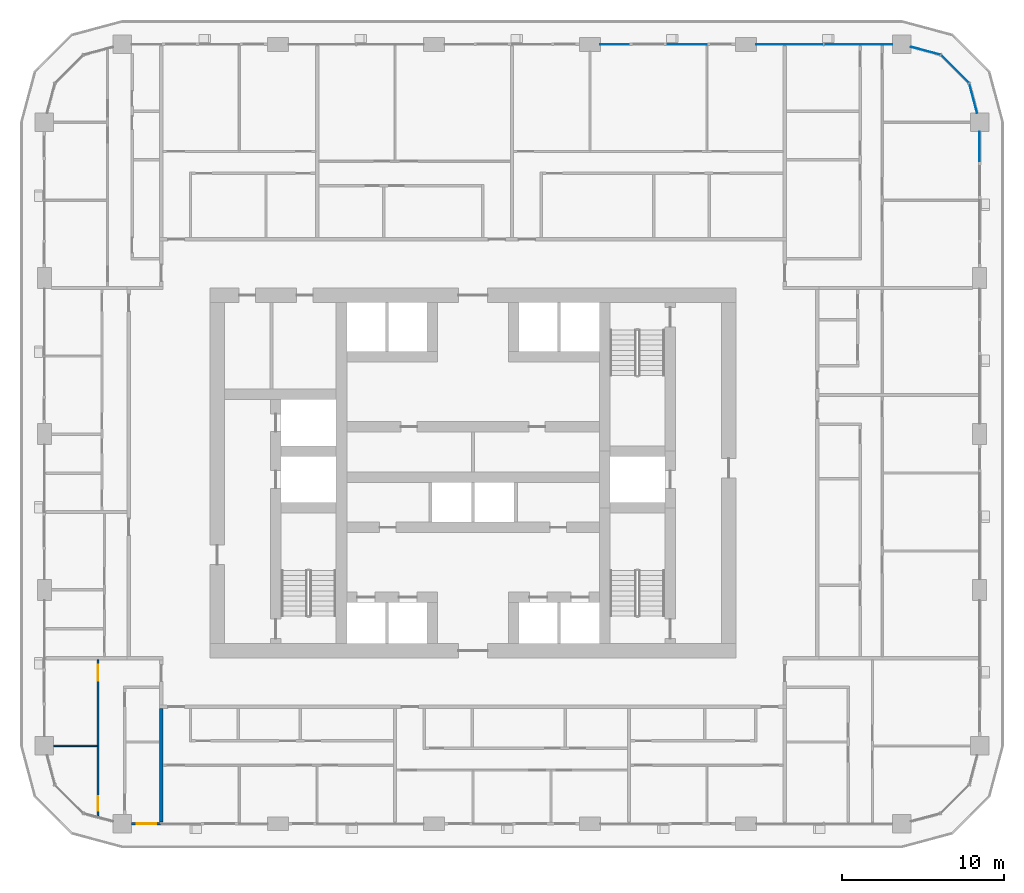
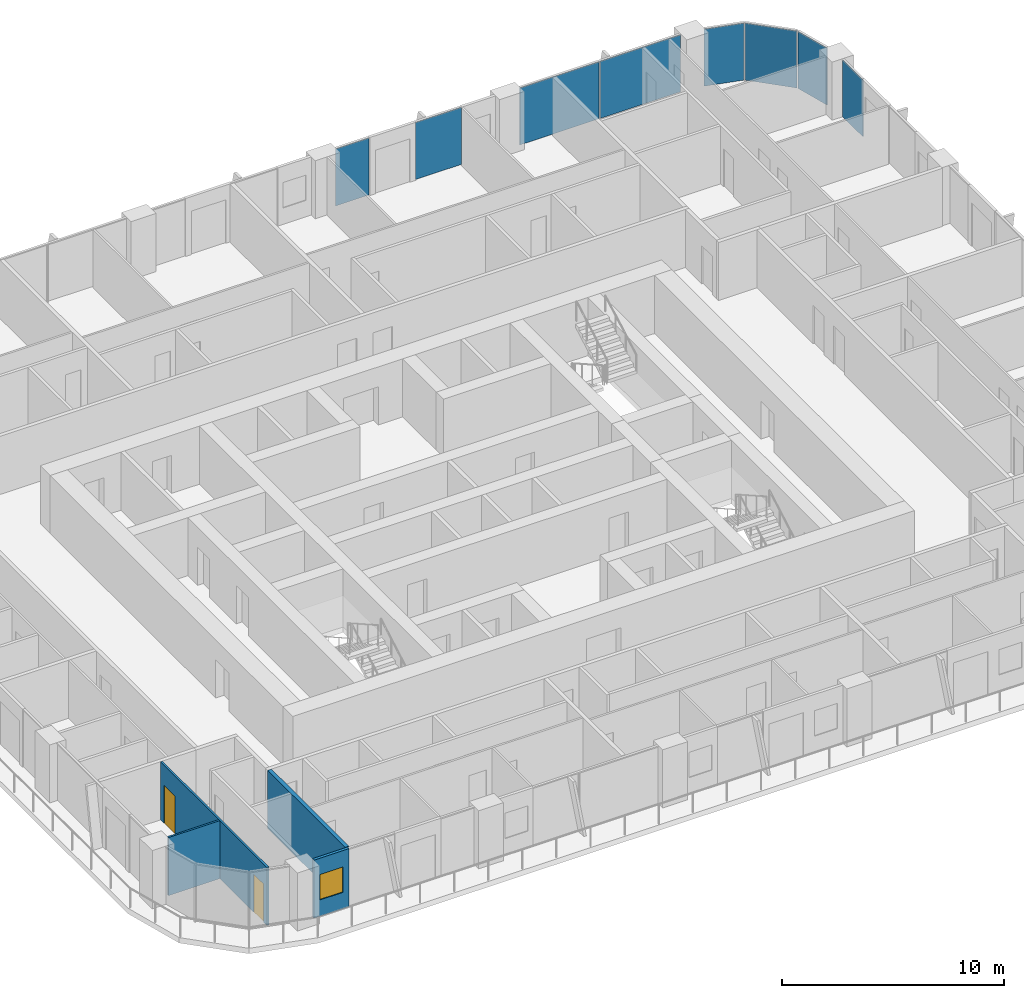
# One storey, part 8 of 21: 8 plates, 4 walls, 2 doors, 1 window, 3 openings, 4 elements without a shape of their own.
"""IFC4 building model written with IfcOpenShell, lengths in metres."""

from ifc_helpers import new_model, si_unit, direction, frame, frame_2d, origin, origin_2d, place, context, subcontext, project, spatial, rectangle, extrude, material, layer, layer_set, type_object, element, fill, aggregate, save


model = new_model("IFC4")

# Units and contexts
model_context = context("Model", 3, precision=1e-05, world=origin(), true_north=direction((0.0, 1.0)))
body_context = subcontext(model_context, "Body", "Model", "MODEL_VIEW")
ifc_project = project(units=[si_unit("LENGTHUNIT", "METRE"), si_unit("AREAUNIT", "SQUARE_METRE"), si_unit("VOLUMEUNIT", "CUBIC_METRE"), si_unit("PLANEANGLEUNIT", "RADIAN"), si_unit("MASSUNIT", "GRAM", prefix="KILO")], contexts=[model_context])

# Site, building, storey
site_placement = place(None, origin())
site = spatial("IfcSite", under=ifc_project, at=site_placement, CompositionType="ELEMENT")
building_placement = place(site_placement, origin())
building = spatial("IfcBuilding", under=site, at=building_placement, Name="Madar Terraces", CompositionType="ELEMENT")
storey_placement = place(building_placement, frame((0.0, 0.0, 106.699951171875)))
storey = spatial("IfcBuildingStorey", under=building, at=storey_placement, Name="L27", CompositionType="ELEMENT", Elevation=106.699951171875)

# Curtain wall, plate
ifc_material_1 = material(Name="Glass, ceramic frit dark grey, with black aluminium frame", Category="aluminium")
ifc_layer_1 = layer(ifc_material_1, 0.199951171875)
ifc_layer_set_1 = layer_set([ifc_layer_1], Name="Facade curtain wall, fritted glass")
curtain_wall_type = type_object("IfcCurtainWallType", Name="Facade curtain wall, fritted glass", PredefinedType="NOTDEFINED", material=ifc_layer_set_1)
curtain_wall_1_placement = place(storey_placement, origin())
curtain_wall_1 = element("IfcCurtainWall", 1, at=curtain_wall_1_placement, inside=storey, type_object=curtain_wall_type, Name="Outer skin curtain wall east bay 4", PredefinedType="NOTDEFINED")
ifc_material_2 = material(Name="Glass, ceramic frit dark grey", Category="glass")
ifc_layer_2 = layer(ifc_material_2, 0.028076171875)
ifc_layer_set_2 = layer_set([ifc_layer_2], Name="Facade glass panel 28")
plate_type = type_object("IfcPlateType", Name="Facade glass panel 28", PredefinedType="CURTAIN_PANEL", material=ifc_layer_set_2)
plate_1_placement = place(storey_placement, frame((62.39990234375, 46.512451171875, 0.0), z_axis=(0.0, 0.0, 1.0), x_axis=(0.0, 1.0, 0.0)))
plate_1 = element("IfcPlate", 2, at=plate_1_placement, type_object=plate_type, Name="Panel 2", PredefinedType="CURTAIN_PANEL", context=body_context, shape_type="SweptSolid", body=[
    extrude(rectangle(XDim=1.824951171875, YDim=0.028076171875, at=origin_2d()), origin(), (0.0, 0.0, 1.0), 3.139892578125),
])
aggregate(curtain_wall_1, [plate_1])

# Curtain wall, plates
curtain_wall_2_placement = place(storey_placement, origin())
curtain_wall_2 = element("IfcCurtainWall", 3, at=curtain_wall_2_placement, inside=storey, type_object=curtain_wall_type, Name="Outer skin curtain wall north bay 1", PredefinedType="NOTDEFINED")
plate_2_placement = place(storey_placement, frame((54.927490234375, 52.800048828125, 0.0), z_axis=(0.0, 0.0, 1.0), x_axis=(-1.0, 0.0, 0.0)))
plate_2 = element("IfcPlate", 4, at=plate_2_placement, type_object=plate_type, Name="Panel 1", PredefinedType="CURTAIN_PANEL", context=body_context, shape_type="SweptSolid", body=[
    extrude(rectangle(XDim=4.195068359375, YDim=0.028076171875, at=origin_2d()), origin(), (0.0, 0.0, 1.0), 3.139892578125),
])
plate_3_placement = place(storey_placement, frame((50.7099609375, 52.800048828125, 0.0), z_axis=(0.0, 0.0, 1.0), x_axis=(-1.0, 0.0, 0.0)))
plate_3 = element("IfcPlate", 5, at=plate_3_placement, type_object=plate_type, Name="Panel 2", PredefinedType="CURTAIN_PANEL", context=body_context, shape_type="SweptSolid", body=[
    extrude(rectangle(XDim=4.1201171875, YDim=0.028076171875, at=origin_2d()), origin(), (0.0, 0.0, 1.0), 3.139892578125),
])
aggregate(curtain_wall_2, [plate_2, plate_3])

curtain_wall_3_placement = place(storey_placement, origin())
curtain_wall_3 = element("IfcCurtainWall", 6, at=curtain_wall_3_placement, inside=storey, type_object=curtain_wall_type, Name="Outer skin curtain wall north bay 2", PredefinedType="NOTDEFINED")
plate_4_placement = place(storey_placement, frame((44.39990234375, 52.800048828125, 0.0), z_axis=(0.0, 0.0, 1.0), x_axis=(-1.0, 0.0, 0.0)))
plate_4 = element("IfcPlate", 7, at=plate_4_placement, type_object=plate_type, Name="Panel 1", PredefinedType="CURTAIN_PANEL", context=body_context, shape_type="SweptSolid", body=[
    extrude(rectangle(XDim=2.39990234375, YDim=0.028076171875, at=origin_2d()), origin(), (0.0, 0.0, 1.0), 3.139892578125),
])
plate_5_placement = place(storey_placement, frame((39.925048828125, 52.800048828125, 0.0), z_axis=(0.0, 0.0, 1.0), x_axis=(-1.0, 0.0, 0.0)))
plate_5 = element("IfcPlate", 8, at=plate_5_placement, type_object=plate_type, Name="Panel 2", PredefinedType="CURTAIN_PANEL", context=body_context, shape_type="SweptSolid", body=[
    extrude(rectangle(XDim=1.75, YDim=0.028076171875, at=origin_2d()), origin(), (0.0, 0.0, 1.0), 3.139892578125),
])
aggregate(curtain_wall_3, [plate_4, plate_5])

curtain_wall_4_placement = place(storey_placement, origin())
curtain_wall_4 = element("IfcCurtainWall", 9, at=curtain_wall_4_placement, inside=storey, type_object=curtain_wall_type, Name="Outer skin curtain wall north-east corner", PredefinedType="NOTDEFINED")
plate_6_placement = place(storey_placement, frame((62.00537109375, 49.472900390625, 0.0), z_axis=(0.0, 0.0, 1.0), x_axis=(-0.258819021888, 0.965925832509, 0.0)))
plate_6 = element("IfcPlate", 10, at=plate_6_placement, type_object=plate_type, Name="Panel 1", PredefinedType="CURTAIN_PANEL", context=body_context, shape_type="SweptSolid", body=[
    extrude(rectangle(XDim=1.859375, YDim=0.028076171875, at=origin_2d()), origin(), (0.0, 0.0, 1.0), 3.139892578125),
])
plate_7_placement = place(storey_placement, frame((60.87841796875, 51.278564453125, 0.0), z_axis=(0.0, 0.0, 1.0), x_axis=(-0.707106781187, 0.707106781187, 0.0)))
plate_7 = element("IfcPlate", 11, at=plate_7_placement, type_object=plate_type, Name="Panel 2", PredefinedType="CURTAIN_PANEL", context=body_context, shape_type="SweptSolid", body=[
    extrude(rectangle(XDim=2.424560546875, YDim=0.028076171875, at=origin_2d()), origin(), (0.0, 0.0, 1.0), 3.139892578125),
])
plate_8_placement = place(storey_placement, frame((59.072998046875, 52.4052734375, 0.0), z_axis=(0.0, 0.0, 1.0), x_axis=(-0.965925832509, 0.258819021888, 0.0)))
plate_8 = element("IfcPlate", 12, at=plate_8_placement, type_object=plate_type, Name="Panel 3", PredefinedType="CURTAIN_PANEL", context=body_context, shape_type="SweptSolid", body=[
    extrude(rectangle(XDim=1.859375, YDim=0.028076171875, at=origin_2d()), origin(), (0.0, 0.0, 1.0), 3.139892578125),
])
aggregate(curtain_wall_4, [plate_6, plate_7, plate_8])

# Wall, opening, window
ifc_material_3 = material(Name="Aluminium composite panel, black, over insulated backing", Category="aluminium")
ifc_layer_3 = layer(ifc_material_3, 0.14990234375)
ifc_layer_set_3 = layer_set([ifc_layer_3], Name="Facade bay panel 150")
wall_type_1 = type_object("IfcWallType", Name="Facade bay panel 150", PredefinedType="SOLIDWALL", material=ifc_layer_set_3)
wall_1_placement = place(storey_placement, frame((10.175048828125, 4.800048828125, 0.0), z_axis=(0.0, 0.0, 1.0), x_axis=(1.0, 0.0, 0.0)))
wall_1 = element("IfcWall", 13, at=wall_1_placement, inside=storey, type_object=wall_type_1, Name="Facade bay panel", PredefinedType="SOLIDWALL", context=body_context, shape_type="SweptSolid", body=[
    extrude(rectangle(XDim=1.824951171875, YDim=0.14990234375, at=frame_2d((0.91259765625, 0.0))), origin(), (0.0, 0.0, 1.0), 3.199951171875),
])
opening_1_placement = place(wall_1_placement, frame((0.3125, 0.0, 0.89990234375)))
opening_1 = element("IfcOpeningElement", 14, at=opening_1_placement, cuts=wall_1, Name="Opening W1", PredefinedType="OPENING", context=body_context, shape_type="SweptSolid", body=[
    extrude(rectangle(XDim=1.199951171875, YDim=1.39990234375, at=frame_2d((0.60009765625, 0.699951171875))), frame((0.0, 0.0849609375, 0.0), z_axis=(0.0, -1.0, 0.0), x_axis=(1.0, 0.0, 0.0)), (0.0, 0.0, 1.0), 0.169921875),
])
ifc_material_4 = material(Name="Glass, clear, with black aluminium frame", Category="aluminium")
window_type = type_object("IfcWindowType", Name="Vent window 1200 x 1400", PartitioningType="SINGLE_PANEL", PredefinedType="WINDOW", material=ifc_material_4)
window_placement = place(opening_1_placement, origin())
window = element("IfcWindow", 15, at=window_placement, inside=storey, type_object=window_type, Name="Operable vent window", OverallHeight=1.39990234375, OverallWidth=1.199951171875, PartitioningType="SINGLE_PANEL", PredefinedType="WINDOW", context=body_context, shape_type="SweptSolid", body=[
    extrude(rectangle(XDim=1.199951171875, YDim=1.39990234375, at=frame_2d((0.60009765625, 0.699951171875))), frame((0.0, 0.030029296875, 0.0), z_axis=(0.0, -1.0, 0.0), x_axis=(1.0, 0.0, 0.0)), (0.0, 0.0, 1.0), 0.06005859375),
])
fill(opening_1, window)

# Wall
ifc_material_5 = material(Name="Gypsum board on steel studs", Category="steel")
ifc_layer_4 = layer(ifc_material_5, 0.10009765625)
ifc_layer_set_4 = layer_set([ifc_layer_4], Name="Flat partition 100")
wall_type_2 = type_object("IfcWallType", Name="Flat partition 100", PredefinedType="PARTITIONING", material=ifc_layer_set_4)
wall_2_placement = place(storey_placement, frame((8.050048828125, 9.60009765625, 0.0), z_axis=(0.0, 0.0, 1.0), x_axis=(-1.0, 0.0, 0.0)))
element("IfcWall", 16, at=wall_2_placement, inside=storey, type_object=wall_type_2, Name="Flat partition 100", PredefinedType="PARTITIONING", context=body_context, shape_type="SweptSolid", body=[
    extrude(rectangle(XDim=2.675048828125, YDim=0.10009765625, at=frame_2d((1.33740234375, 0.0))), origin(), (0.0, 0.0, 1.0), 3.199951171875),
])

# Wall, openings, doors
wall_3_placement = place(storey_placement, frame((8.10009765625, 5.302001953125, 0.0), z_axis=(0.0, 0.0, 1.0), x_axis=(0.0, 1.0, 0.0)))
wall_3 = element("IfcWall", 17, at=wall_3_placement, inside=storey, type_object=wall_type_2, Name="Flat partition 100", PredefinedType="PARTITIONING", context=body_context, shape_type="SweptSolid", body=[
    extrude(rectangle(XDim=9.597900390625, YDim=0.10009765625, at=frame_2d((4.798828125, 0.0))), origin(), (0.0, 0.0, 1.0), 3.199951171875),
])
opening_2_placement = place(wall_3_placement, frame((8.298095703125, 0.0, 0.0)))
opening_2 = element("IfcOpeningElement", 18, at=opening_2_placement, cuts=wall_3, Name="Opening D3", PredefinedType="OPENING", context=body_context, shape_type="SweptSolid", body=[
    extrude(rectangle(XDim=1.0, YDim=2.10009765625, at=frame_2d((0.5, 1.050048828125))), frame((0.0, 0.06005859375, 0.0), z_axis=(0.0, -1.0, 0.0), x_axis=(1.0, 0.0, 0.0)), (0.0, 0.0, 1.0), 0.1201171875),
])
opening_3_placement = place(wall_3_placement, frame((0.300048828125, 0.0, 0.0)))
opening_3 = element("IfcOpeningElement", 19, at=opening_3_placement, cuts=wall_3, Name="Opening D2", PredefinedType="OPENING", context=body_context, shape_type="SweptSolid", body=[
    extrude(rectangle(XDim=0.89990234375, YDim=2.10009765625, at=frame_2d((0.449951171875, 1.050048828125))), frame((0.0, 0.06005859375, 0.0), z_axis=(0.0, -1.0, 0.0), x_axis=(1.0, 0.0, 0.0)), (0.0, 0.0, 1.0), 0.1201171875),
])
ifc_material_6 = material(Name="Timber door leaf", Category="wood")
door_type_1 = type_object("IfcDoorType", Name="Flat living room door 1000", OperationType="NOTDEFINED", PredefinedType="DOOR", material=ifc_material_6)
door_1_placement = place(opening_2_placement, origin())
door_1 = element("IfcDoor", 20, at=door_1_placement, inside=storey, type_object=door_type_1, Name="Flat living room door 1000", OperationType="SINGLE_SWING_RIGHT", OverallHeight=2.10009765625, OverallWidth=1.0, PredefinedType="DOOR", context=body_context, shape_type="SweptSolid", body=[
    extrude(rectangle(XDim=1.0, YDim=2.10009765625, at=frame_2d((0.5, 1.050048828125))), frame((0.0, 0.02490234375, 0.0), z_axis=(0.0, -1.0, 0.0), x_axis=(1.0, 0.0, 0.0)), (0.0, 0.0, 1.0), 0.050048828125),
])
fill(opening_2, door_1)
ifc_material_7 = material(Name="Timber door leaf", Category="wood")
door_type_2 = type_object("IfcDoorType", Name="Flat room door 900", OperationType="NOTDEFINED", PredefinedType="DOOR", material=ifc_material_7)
door_2_placement = place(opening_3_placement, origin())
door_2 = element("IfcDoor", 21, at=door_2_placement, inside=storey, type_object=door_type_2, Name="Flat room door 900", OperationType="SINGLE_SWING_LEFT", OverallHeight=2.10009765625, OverallWidth=0.89990234375, PredefinedType="DOOR", context=body_context, shape_type="SweptSolid", body=[
    extrude(rectangle(XDim=0.89990234375, YDim=2.10009765625, at=frame_2d((0.449951171875, 1.050048828125))), frame((0.0, 0.02490234375, 0.0), z_axis=(0.0, -1.0, 0.0), x_axis=(1.0, 0.0, 0.0)), (0.0, 0.0, 1.0), 0.050048828125),
])
fill(opening_3, door_2)

# Wall
ifc_material_8 = material(Name="Lightweight blockwork", Category="masonry")
ifc_layer_5 = layer(ifc_material_8, 0.199951171875)
ifc_layer_set_5 = layer_set([ifc_layer_5], Name="Flat party and entrance wall 200")
wall_type_3 = type_object("IfcWallType", Name="Flat party and entrance wall 200", PredefinedType="PARTITIONING", material=ifc_layer_set_5)
wall_4_placement = place(storey_placement, frame((12.0, 4.89990234375, 0.0), z_axis=(0.0, 0.0, 1.0), x_axis=(0.0, 1.0, 0.0)))
element("IfcWall", 22, at=wall_4_placement, inside=storey, type_object=wall_type_3, Name="Flat party and entrance wall 200", PredefinedType="PARTITIONING", context=body_context, shape_type="SweptSolid", body=[
    extrude(rectangle(XDim=7.0, YDim=0.199951171875, at=frame_2d((3.5, 0.0))), origin(), (0.0, 0.0, 1.0), 3.199951171875),
])

save(model, "model.ifc")
